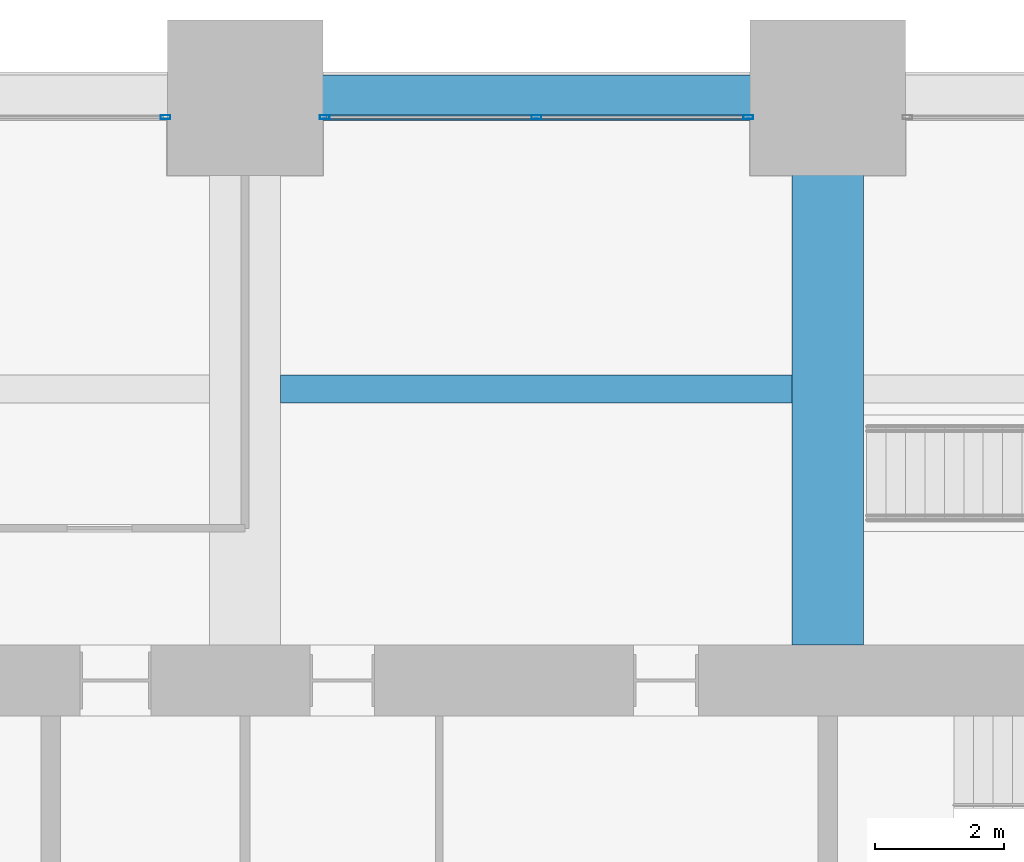
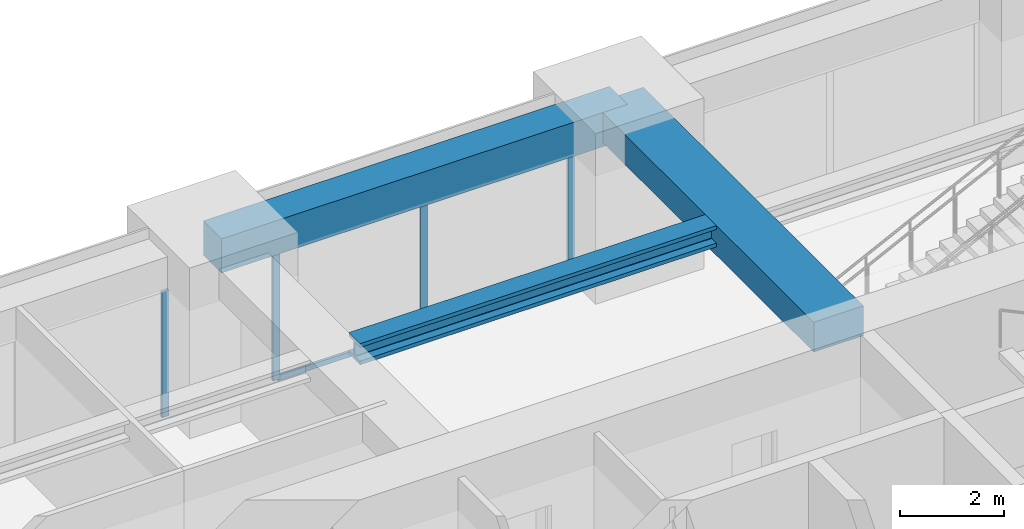
# One storey, part 29 of 41: 5 members, 3 beams, 2 elements without a shape of their own.
"""IFC4 building model written with IfcOpenShell, lengths in metres."""

from ifc_helpers import new_model, si_unit, direction, frame, origin, origin_2d, place, context, subcontext, project, spatial, rectangle, hollow_rectangle, i_section, extrude, material, material_profile, profile_set, type_object, element, aggregate, save


model = new_model("IFC4")

# Units and contexts
model_context = context("Model", 3, precision=1e-05, world=origin(), true_north=direction((0.0, 1.0)))
body_context = subcontext(model_context, "Body", "Model", "MODEL_VIEW")
ifc_project = project(units=[si_unit("LENGTHUNIT", "METRE"), si_unit("AREAUNIT", "SQUARE_METRE"), si_unit("VOLUMEUNIT", "CUBIC_METRE"), si_unit("PLANEANGLEUNIT", "RADIAN"), si_unit("MASSUNIT", "GRAM", prefix="KILO")], contexts=[model_context])

# Site, building, storey
site_placement = place(None, origin())
site = spatial("IfcSite", under=ifc_project, at=site_placement, CompositionType="ELEMENT")
building_placement = place(site_placement, origin())
building = spatial("IfcBuilding", under=site, at=building_placement, Name="Zorevar Civic Tower", CompositionType="ELEMENT")
storey_placement = place(building_placement, frame((0.0, 0.0, 97.0)))
storey = spatial("IfcBuildingStorey", under=building, at=storey_placement, Name="L23", CompositionType="ELEMENT", Elevation=97.0)

# Beam
ifc_material_1 = material(Name="Concrete C50/60", Category="concrete")
ifc_material_profile_1 = material_profile(ifc_material_1, rectangle(XDim=1.10009765625, YDim=0.699951171875, at=origin_2d()), Name="RC 1100x700")
ifc_profile_set_1 = profile_set([ifc_material_profile_1], Name="Concrete C50/60")
beam_type_1 = type_object("IfcBeamType", Name="Beam RC 1100x700", PredefinedType="BEAM", material=ifc_profile_set_1)
beam_1_placement = place(storey_placement, frame((36.0, 36.550048828125, 3.39990234375), z_axis=(0.0, 1.0, 0.0), x_axis=(-1.0, 0.0, 0.0)))
element("IfcBeam", 1, at=beam_1_placement, inside=storey, type_object=beam_type_1, Name="Girder L24", PredefinedType="BEAM", context=body_context, shape_type="SweptSolid", body=[
    extrude(rectangle(XDim=1.10009765625, YDim=0.699951171875, at=origin_2d()), origin(), (0.0, 0.0, 1.0), 8.449951171875),
])

# Curtain wall, member
ifc_material_2 = material(Name="Dark grey solar-control glass in black aluminium frame", Category="aluminium")
curtain_wall_type = type_object("IfcCurtainWallType", Name="Curtain wall CW3 mid zone", PredefinedType="NOTDEFINED", material=ifc_material_2)
curtain_wall_1_placement = place(storey_placement, origin())
curtain_wall_1 = element("IfcCurtainWall", 2, at=curtain_wall_1_placement, inside=storey, type_object=curtain_wall_type, Name="CW3 L23", PredefinedType="NOTDEFINED")
ifc_material_3 = material(Name="Aluminium, black anodised", Category="aluminium")
ifc_material_profile_2 = material_profile(ifc_material_3, hollow_rectangle(XDim=0.06005859375, YDim=0.14990234375, WallThickness=0.00390625, at=origin_2d()), Name="AL 150x60x4")
ifc_profile_set_2 = profile_set([ifc_material_profile_2], Name="Aluminium, black anodised")
member_type_1 = type_object("IfcMemberType", Name="CW3 mullion AL 150x60x4", PredefinedType="MULLION", material=ifc_profile_set_2)
member_1_placement = place(storey_placement, frame((25.77001953125, 44.699951171875, 0.0), z_axis=(0.0, 0.0, 1.0), x_axis=(0.0, 1.0, 0.0)))
member_1 = element("IfcMember", 3, at=member_1_placement, type_object=member_type_1, Name="CW3 mullion 3", PredefinedType="MULLION", context=body_context, shape_type="SweptSolid", body=[
    extrude(hollow_rectangle(XDim=0.06005859375, YDim=0.14990234375, WallThickness=0.00390625, at=origin_2d()), origin(), (0.0, 0.0, 1.0), 2.949951171875),
])
aggregate(curtain_wall_1, [member_1])

# Curtain wall, members
curtain_wall_2_placement = place(storey_placement, origin())
curtain_wall_2 = element("IfcCurtainWall", 4, at=curtain_wall_2_placement, inside=storey, type_object=curtain_wall_type, Name="CW3 L23", PredefinedType="NOTDEFINED")
member_2_placement = place(storey_placement, frame((28.22998046875, 44.699951171875, 0.0), z_axis=(0.0, 0.0, 1.0), x_axis=(0.0, 1.0, 0.0)))
member_2 = element("IfcMember", 5, at=member_2_placement, type_object=member_type_1, Name="CW3 mullion 1", PredefinedType="MULLION", context=body_context, shape_type="SweptSolid", body=[
    extrude(hollow_rectangle(XDim=0.06005859375, YDim=0.14990234375, WallThickness=0.00390625, at=origin_2d()), origin(), (0.0, 0.0, 1.0), 2.949951171875),
])
member_3_placement = place(storey_placement, frame((31.5, 44.699951171875, 0.06005859375), z_axis=(0.0, 0.0, 1.0), x_axis=(0.0, 1.0, 0.0)))
member_3 = element("IfcMember", 6, at=member_3_placement, type_object=member_type_1, Name="CW3 mullion 2", PredefinedType="MULLION", context=body_context, shape_type="SweptSolid", body=[
    extrude(hollow_rectangle(XDim=0.06005859375, YDim=0.14990234375, WallThickness=0.00390625, at=origin_2d()), origin(), (0.0, 0.0, 1.0), 2.889892578125),
])
member_4_placement = place(storey_placement, frame((34.77001953125, 44.699951171875, 0.0), z_axis=(0.0, 0.0, 1.0), x_axis=(0.0, 1.0, 0.0)))
member_4 = element("IfcMember", 7, at=member_4_placement, type_object=member_type_1, Name="CW3 mullion 3", PredefinedType="MULLION", context=body_context, shape_type="SweptSolid", body=[
    extrude(hollow_rectangle(XDim=0.06005859375, YDim=0.14990234375, WallThickness=0.00390625, at=origin_2d()), origin(), (0.0, 0.0, 1.0), 2.949951171875),
])
ifc_material_4 = material(Name="Aluminium, black anodised", Category="aluminium")
ifc_material_profile_3 = material_profile(ifc_material_4, hollow_rectangle(XDim=0.06005859375, YDim=0.1201171875, WallThickness=0.0029296875, at=origin_2d()), Name="AL 120x60x3")
ifc_profile_set_3 = profile_set([ifc_material_profile_3], Name="Aluminium, black anodised")
member_type_2 = type_object("IfcMemberType", Name="CW3 transom AL 120x60x3", PredefinedType="USERDEFINED", material=ifc_profile_set_3)
member_5_placement = place(storey_placement, frame((28.260009765625, 44.699951171875, 0.030029296875), z_axis=(1.0, 0.0, 0.0), x_axis=(0.0, 1.0, 0.0)))
member_5 = element("IfcMember", 8, at=member_5_placement, type_object=member_type_2, Name="CW3 sill transom", ObjectType="TRANSOM", PredefinedType="USERDEFINED", context=body_context, shape_type="SweptSolid", body=[
    extrude(hollow_rectangle(XDim=0.06005859375, YDim=0.1201171875, WallThickness=0.0029296875, at=origin_2d()), origin(), (0.0, 0.0, 1.0), 6.47998046875),
])
aggregate(curtain_wall_2, [member_2, member_3, member_4, member_5])

# Beams
ifc_material_5 = material(Name="Steel S460M (HISTAR 460)", Category="steel")
ifc_material_profile_4 = material_profile(ifc_material_5, i_section(OverallWidth=0.431884765625, OverallDepth=0.498046875, WebThickness=0.0556640625, FlangeThickness=0.0888671875, FilletRadius=0.014892578125, at=origin_2d()), Name="HD 400x744")
ifc_profile_set_4 = profile_set([ifc_material_profile_4], Name="Steel S460M (HISTAR 460)")
beam_type_2 = type_object("IfcBeamType", Name="Core bay beam HD 400x744", PredefinedType="BEAM", material=ifc_profile_set_4)
beam_2_placement = place(storey_placement, frame((27.550048828125, 40.5, 3.5009765625), z_axis=(1.0, 0.0, 0.0), x_axis=(0.0, 1.0, 0.0)))
element("IfcBeam", 9, at=beam_2_placement, inside=storey, type_object=beam_type_2, Name="Secondary beam L24", PredefinedType="BEAM", context=body_context, shape_type="SweptSolid", body=[
    extrude(i_section(OverallWidth=0.431884765625, OverallDepth=0.498046875, WebThickness=0.0556640625, FlangeThickness=0.0888671875, FilletRadius=0.014892578125, at=origin_2d()), origin(), (0.0, 0.0, 1.0), 7.89990234375),
])
ifc_material_6 = material(Name="Concrete C50/60", Category="concrete")
ifc_material_profile_5 = material_profile(ifc_material_6, rectangle(XDim=0.699951171875, YDim=0.800048828125, at=origin_2d()), Name="RC 700x800")
ifc_profile_set_5 = profile_set([ifc_material_profile_5], Name="Concrete C50/60")
beam_type_3 = type_object("IfcBeamType", Name="Edge beam RC 700x800", PredefinedType="SPANDREL", material=ifc_profile_set_5)
beam_3_placement = place(storey_placement, frame((27.0, 45.0, 3.35009765625), z_axis=(1.0, 0.0, 0.0), x_axis=(0.0, 1.0, 0.0)))
element("IfcBeam", 10, at=beam_3_placement, inside=storey, type_object=beam_type_3, Name="Edge beam L24", PredefinedType="SPANDREL", context=body_context, shape_type="SweptSolid", body=[
    extrude(rectangle(XDim=0.699951171875, YDim=0.800048828125, at=origin_2d()), origin(), (0.0, 0.0, 1.0), 9.0),
])

save(model, "model.ifc")
